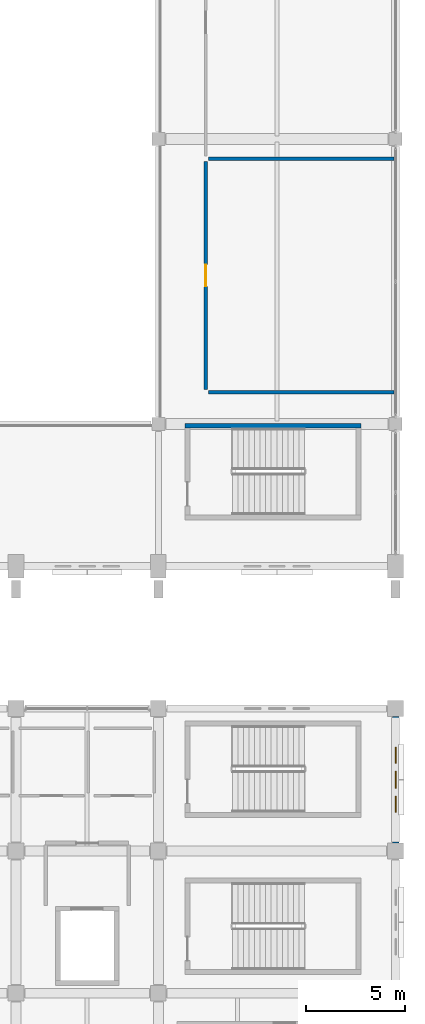
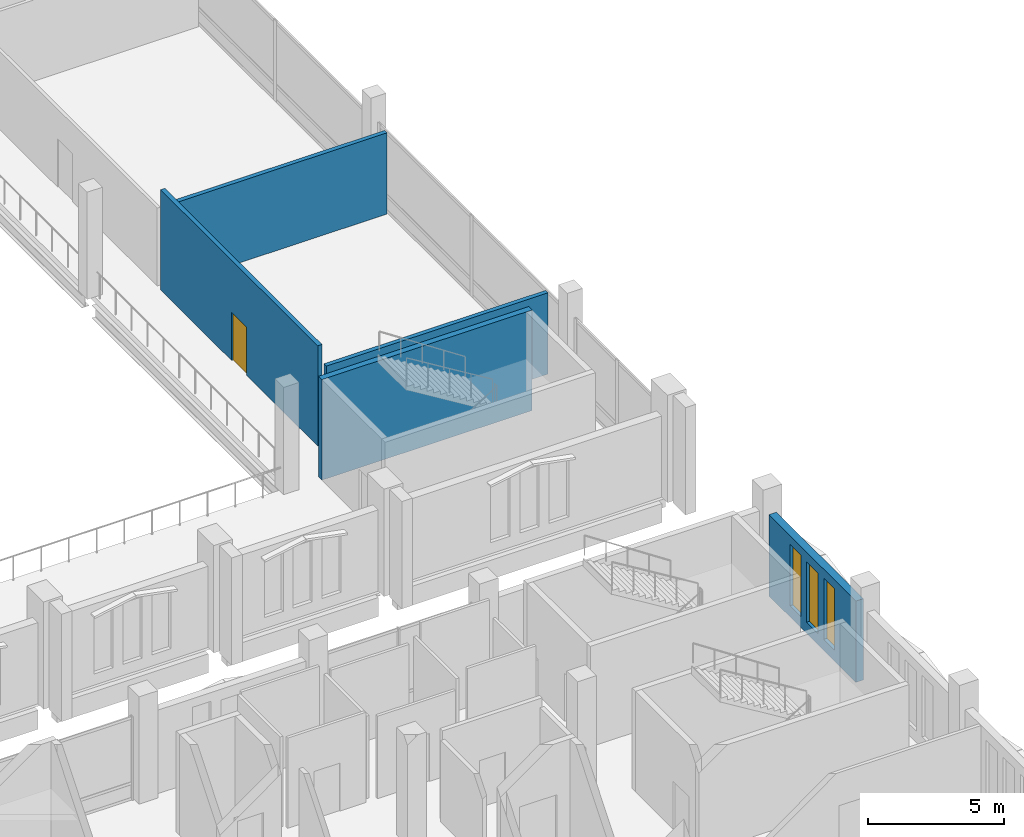
# One storey, part 164 of 220: 5 walls, 3 windows, 1 door, 4 openings.
"""IFC4 building model written with IfcOpenShell, lengths in metres."""

import ifcopenshell
import ifcopenshell.guid

model = None  # the IFC model being written
_history = None  # IfcOwnerHistory: only IFC2X3 demands one
_inside = {}  # id of a spatial element -> (the spatial element, [elements in it])
_under = {}  # id of a project, library or spatial element -> (it, [spatial elements below it])
_declared = {}  # id of a project -> (the project, [libraries it declares])
_typed = {}  # id of a type object -> (the type object, [elements of that type])
_made_of = {}  # id of a material, layer set ... -> (it, [elements and type objects made of it])


def new_model(schema):
    """Start an empty IFC model of exactly this schema.

    Asked for "IFC4X3", IfcOpenShell would pick the latest addendum, in which some entities
    have other attributes; the version numbers below select the first issue.
    IFC2X3 requires an IfcOwnerHistory on every rooted entity: one is made here for all.
    """
    global model, _history
    if schema == "IFC4X3":
        model = ifcopenshell.file(schema_version=(4, 3, 0, 0))
    else:
        model = ifcopenshell.file(schema=schema)
    _inside.clear()
    _under.clear()
    _declared.clear()
    _typed.clear()
    _made_of.clear()
    _history = None
    if model.schema == "IFC2X3":
        org = make("IfcOrganization", Name="unknown")
        user = make(
            "IfcPersonAndOrganization",
            ThePerson=make("IfcPerson", FamilyName="unknown"),
            TheOrganization=org,
        )
        app = make(
            "IfcApplication",
            ApplicationDeveloper=org,
            Version="unknown",
            ApplicationFullName="unknown",
            ApplicationIdentifier="unknown",
        )
        _history = make(
            "IfcOwnerHistory",
            OwningUser=user,
            OwningApplication=app,
            ChangeAction="ADDED",
            CreationDate=0,
        )
    return model


def make(cls, **values):
    """One entity of the class cls with the attributes given. An attribute that is None is left unset."""
    return model.create_entity(
        cls, **{name: value for name, value in values.items() if value is not None}
    )


def rooted(cls, **values):
    """An entity with a GlobalId (a new one), such as an element, a storey or a relation."""
    return make(cls, GlobalId=ifcopenshell.guid.new(), OwnerHistory=_history, **values)


def si_unit(unit_type, name, prefix=None):
    """IfcSIUnit, for example si_unit("LENGTHUNIT", "METRE", prefix="MILLI")."""
    return make("IfcSIUnit", UnitType=unit_type, Prefix=prefix, Name=name)


def assignment(units):
    """IfcUnitAssignment: the units of a project."""
    return None if units is None else make("IfcUnitAssignment", Units=units)


def point(xyz):
    """IfcCartesianPoint."""
    return None if xyz is None else make("IfcCartesianPoint", Coordinates=xyz)


def direction(xyz):
    """IfcDirection."""
    return None if xyz is None else make("IfcDirection", DirectionRatios=xyz)


def frame(location, z_axis=None, x_axis=None):
    """IfcAxis2Placement3D, a coordinate frame: its origin and axes. An axis left out is left unset."""
    return make(
        "IfcAxis2Placement3D",
        Location=point(location),
        Axis=direction(z_axis),
        RefDirection=direction(x_axis),
    )


def frame_2d(location, x_axis=None):
    """IfcAxis2Placement2D, a coordinate frame in the plane: its origin and x axis."""
    return make(
        "IfcAxis2Placement2D", Location=point(location), RefDirection=direction(x_axis)
    )


def origin():
    """The frame at (0, 0, 0) with its axes left unset."""
    return frame((0.0, 0.0, 0.0))


def place(relative_to, where):
    """IfcLocalPlacement: puts the frame where relative to a parent placement (None: the world)."""
    return make(
        "IfcLocalPlacement", PlacementRelTo=relative_to, RelativePlacement=where
    )


def context(
    kind, dimensions, precision=None, world=None, true_north=None, identifier=None
):
    """IfcGeometricRepresentationContext, for example the 3D "Model" context."""
    return make(
        "IfcGeometricRepresentationContext",
        ContextIdentifier=identifier,
        ContextType=kind,
        CoordinateSpaceDimension=dimensions,
        Precision=precision,
        WorldCoordinateSystem=world,
        TrueNorth=true_north,
    )


def subcontext(parent, identifier, kind, view, scale=None):
    """IfcGeometricRepresentationSubContext, for example "Body" below "Model"."""
    return make(
        "IfcGeometricRepresentationSubContext",
        ContextIdentifier=identifier,
        ContextType=kind,
        ParentContext=parent,
        TargetScale=scale,
        TargetView=view,
    )


def project(units=None, contexts=None):
    """IfcProject with its units and contexts."""
    return rooted(
        "IfcProject",
        Name="project",
        RepresentationContexts=contexts,
        UnitsInContext=assignment(units),
    )


def spatial(cls, under=None, at=None, **own):
    """A site, building, storey or space (cls), placed at a placement, below another one or the project."""
    s = rooted(cls, ObjectPlacement=at, **own)
    if under is not None:
        _under.setdefault(under.id(), (under, []))[1].append(s)
    return s


def profile(cls, at=None, kind="AREA", **sizes):
    """A parametric profile (cls). Its sizes go by their IFC names, for example OverallWidth=200.0."""
    return make(cls, ProfileType=kind, Position=at, **sizes)


def rectangle(**sizes):
    """IfcRectangleProfileDef."""
    return profile("IfcRectangleProfileDef", **sizes)


def extrude(swept, where, along, depth):
    """IfcExtrudedAreaSolid: the profile swept, set in the frame where, extruded along a direction by depth."""
    return make(
        "IfcExtrudedAreaSolid",
        SweptArea=swept,
        Position=where,
        ExtrudedDirection=direction(along),
        Depth=depth,
    )


def shape(context_of_items, identifier, shape_type, items):
    """IfcShapeRepresentation: the items that make up one representation, for example the "Body"."""
    return make(
        "IfcShapeRepresentation",
        ContextOfItems=context_of_items,
        RepresentationIdentifier=identifier,
        RepresentationType=shape_type,
        Items=items,
    )


def material(Name=None, Category=None):
    """IfcMaterial."""
    return make("IfcMaterial", Name=Name, Category=Category)


def layer(
    of_material, thickness, ventilated=None, Name=None, Category=None, Priority=None
):
    """IfcMaterialLayer: one layer of a wall or slab, of a material (None: an air gap)."""
    return make(
        "IfcMaterialLayer",
        Material=of_material,
        LayerThickness=thickness,
        IsVentilated=ventilated,
        Name=Name,
        Category=Category,
        Priority=Priority,
    )


def layer_set(layers, Name=None):
    """IfcMaterialLayerSet."""
    return make("IfcMaterialLayerSet", MaterialLayers=layers, LayerSetName=Name)


def made_of(thing, what):
    """Note that an element or type object is made of a material, layer set ...; save() writes the relation."""
    if what is not None:
        _made_of.setdefault(what.id(), (what, []))[1].append(thing)
    return thing


def type_object(cls, material=None, **own):
    """A type object (cls), such as IfcWallType, which elements share."""
    return made_of(rooted(cls, **own), material)


def element(
    cls,
    number,
    at=None,
    inside=None,
    cuts=None,
    type_object=None,
    material=None,
    context=None,
    identifier="Body",
    shape_type=None,
    held_by="IfcProductDefinitionShape",
    body=None,
    shapes=None,
    **own,
):
    """One element of the class cls, such as IfcWall. Its Tag is "e" and its number.

    at: its placement. inside: the storey or other place that contains it. cuts: it is an
    opening in that element (IfcRelVoidsElement). A single representation is given by context,
    identifier, shape_type and body (its items); several are given by shapes. held_by: the class
    of the entity that holds the representations. save() writes the other relations.
    """
    e = rooted(cls, Tag="e%d" % number, ObjectPlacement=at, **own)
    if body is not None:
        shapes = [shape(context, identifier, shape_type, body)]
    if shapes is not None:
        e.Representation = make(held_by, Representations=shapes)
    if inside is not None:
        _inside.setdefault(inside.id(), (inside, []))[1].append(e)
    if cuts is not None:
        rooted(
            "IfcRelVoidsElement", RelatingBuildingElement=cuts, RelatedOpeningElement=e
        )
    if type_object is not None:
        _typed.setdefault(type_object.id(), (type_object, []))[1].append(e)
    return made_of(e, material)


def fill(opening, filler):
    """IfcRelFillsElement: the door or window that sits in an opening."""
    return rooted(
        "IfcRelFillsElement",
        RelatingOpeningElement=opening,
        RelatedBuildingElement=filler,
    )


def aggregate(whole, parts):
    """IfcRelAggregates: a whole, such as a stair, and the parts it consists of."""
    return rooted("IfcRelAggregates", RelatingObject=whole, RelatedObjects=parts)


def save(model, path):
    """Write the relations noted so far, then the file.

    IfcRelAggregates (storeys below a building ...), IfcRelContainedInSpatialStructure (elements
    in a storey), IfcRelDefinesByType, IfcRelAssociatesMaterial and IfcRelDeclares: one each for
    every whole, place, type object, material and project.
    """
    for whole, parts in _under.values():
        aggregate(whole, parts)
    for where, things in _inside.values():
        rooted(
            "IfcRelContainedInSpatialStructure",
            RelatedElements=things,
            RelatingStructure=where,
        )
    for kind, things in _typed.values():
        rooted("IfcRelDefinesByType", RelatedObjects=things, RelatingType=kind)
    for what, things in _made_of.values():
        rooted("IfcRelAssociatesMaterial", RelatedObjects=things, RelatingMaterial=what)
    for by, libraries in _declared.values():
        rooted("IfcRelDeclares", RelatingContext=by, RelatedDefinitions=libraries)
    model.write(path)


model = new_model("IFC4")

# Units and contexts
model_context = context("Model", 3, precision=1e-05, world=origin(), true_north=direction((0.0, 1.0)))
body_context = subcontext(model_context, "Body", "Model", "MODEL_VIEW")
ifc_project = project(units=[si_unit("LENGTHUNIT", "METRE"), si_unit("AREAUNIT", "SQUARE_METRE"), si_unit("VOLUMEUNIT", "CUBIC_METRE"), si_unit("PLANEANGLEUNIT", "RADIAN"), si_unit("MASSUNIT", "GRAM", prefix="KILO")], contexts=[model_context])

# Site, building, storey
site_placement = place(None, origin())
site = spatial("IfcSite", under=ifc_project, at=site_placement, CompositionType="ELEMENT")
building_placement = place(site_placement, origin())
building = spatial("IfcBuilding", under=site, at=building_placement, Name="Cendralis Lancet Convention Centre", CompositionType="ELEMENT")
storey_placement = place(building_placement, frame((0.0, 0.0, 5.39990234375)))
storey = spatial("IfcBuildingStorey", under=building, at=storey_placement, Name="L01", CompositionType="ELEMENT", Elevation=5.39990234375)

# Wall, openings, windows
ifc_material_1 = material(Name="Buff sandstone ashlar and Concrete G40 (C40/50)", Category="masonry")
ifc_layer_1 = layer(ifc_material_1, 0.320068359375, Name="Buff sandstone ashlar and Concrete G40 (C40/50)")
ifc_layer_set_1 = layer_set([ifc_layer_1], Name="Buff sandstone ashlar and Concrete G40 (C40/50)")
wall_type_1 = type_object("IfcWallType", Name="ARC-EW-W320", PredefinedType="STANDARD", material=ifc_layer_set_1)
wall_1_placement = place(storey_placement, frame((208.800048828125, 35.592041015625, 0.0), z_axis=(0.0, 0.0, 1.0), x_axis=(0.0, -1.0, 0.0)))
wall_1 = element("IfcWall", 1, at=wall_1_placement, inside=storey, type_object=wall_type_1, Name="L01 V5 Exterior Wall EW-06 #0276", PredefinedType="STANDARD", context=body_context, shape_type="SweptSolid", body=[
    extrude(rectangle(XDim=6.384033203125, YDim=0.320068359375, at=frame_2d((3.19189453125, 0.0))), origin(), (0.0, 0.0, 1.0), 3.635009765625),
])
opening_1_placement = place(wall_1_placement, frame((1.552001953125, 0.0, 0.5)))
opening_1 = element("IfcOpeningElement", 2, at=opening_1_placement, cuts=wall_1, Name="Opening WN-07", PredefinedType="OPENING", context=body_context, shape_type="SweptSolid", body=[
    extrude(rectangle(XDim=0.800048828125, YDim=2.75, at=frame_2d((0.39990234375, 1.375))), frame((0.0, 0.169921875, 0.0), z_axis=(0.0, -1.0, 0.0), x_axis=(1.0, 0.0, 0.0)), (0.0, 0.0, 1.0), 0.340087890625),
])
opening_2_placement = place(wall_1_placement, frame((2.77197265625, 0.0, 0.5)))
opening_2 = element("IfcOpeningElement", 3, at=opening_2_placement, cuts=wall_1, Name="Opening WN-15", PredefinedType="OPENING", context=body_context, shape_type="SweptSolid", body=[
    extrude(rectangle(XDim=0.840087890625, YDim=2.699951171875, at=frame_2d((0.419921875, 1.35009765625))), frame((0.0, 0.169921875, 0.0), z_axis=(0.0, -1.0, 0.0), x_axis=(1.0, 0.0, 0.0)), (0.0, 0.0, 1.0), 0.340087890625),
])
opening_3_placement = place(wall_1_placement, frame((4.031982421875, 0.0, 0.5)))
opening_3 = element("IfcOpeningElement", 4, at=opening_3_placement, cuts=wall_1, Name="Opening WN-07", PredefinedType="OPENING", context=body_context, shape_type="SweptSolid", body=[
    extrude(rectangle(XDim=0.800048828125, YDim=2.75, at=frame_2d((0.39990234375, 1.375))), frame((0.0, 0.169921875, 0.0), z_axis=(0.0, -1.0, 0.0), x_axis=(1.0, 0.0, 0.0)), (0.0, 0.0, 1.0), 0.340087890625),
])
ifc_material_2 = material(Name="Double-glazed low-E solar-control glass", Category="glass")
window_type_1 = type_object("IfcWindowType", Name="ARC-WN-LW07", PartitioningType="SINGLE_PANEL", PredefinedType="WINDOW", material=ifc_material_2)
window_1_placement = place(opening_1_placement, origin())
window_1 = element("IfcWindow", 5, at=window_1_placement, inside=storey, type_object=window_type_1, Name="Gothic Lancet Window WN-07 #0532", OverallHeight=2.75, OverallWidth=0.800048828125, PartitioningType="SINGLE_PANEL", PredefinedType="WINDOW", context=body_context, shape_type="SweptSolid", body=[
    extrude(rectangle(XDim=0.800048828125, YDim=2.75, at=frame_2d((0.39990234375, 1.375))), frame((0.0, 0.030029296875, 0.0), z_axis=(0.0, -1.0, 0.0), x_axis=(1.0, 0.0, 0.0)), (0.0, 0.0, 1.0), 0.06005859375),
])
fill(opening_1, window_1)
window_2_placement = place(opening_3_placement, origin())
window_2 = element("IfcWindow", 6, at=window_2_placement, inside=storey, type_object=window_type_1, Name="Gothic Lancet Window WN-07 #0534", OverallHeight=2.75, OverallWidth=0.800048828125, PartitioningType="SINGLE_PANEL", PredefinedType="WINDOW", context=body_context, shape_type="SweptSolid", body=[
    extrude(rectangle(XDim=0.800048828125, YDim=2.75, at=frame_2d((0.39990234375, 1.375))), frame((0.0, 0.030029296875, 0.0), z_axis=(0.0, -1.0, 0.0), x_axis=(1.0, 0.0, 0.0)), (0.0, 0.0, 1.0), 0.06005859375),
])
fill(opening_3, window_2)
window_type_2 = type_object("IfcWindowType", Name="ARC-WN-LW15", PartitioningType="SINGLE_PANEL", PredefinedType="WINDOW", material=ifc_material_2)
window_3_placement = place(opening_2_placement, origin())
window_3 = element("IfcWindow", 7, at=window_3_placement, inside=storey, type_object=window_type_2, Name="Gothic Lancet Window WN-15 #0533", OverallHeight=2.699951171875, OverallWidth=0.840087890625, PartitioningType="SINGLE_PANEL", PredefinedType="WINDOW", context=body_context, shape_type="SweptSolid", body=[
    extrude(rectangle(XDim=0.840087890625, YDim=2.699951171875, at=frame_2d((0.419921875, 1.35009765625))), frame((0.0, 0.030029296875, 0.0), z_axis=(0.0, -1.0, 0.0), x_axis=(1.0, 0.0, 0.0)), (0.0, 0.0, 1.0), 0.06005859375),
])
fill(opening_2, window_3)

# Walls
ifc_material_3 = material(Name="Acoustic fire-rated gypsum board on steel studs", Category="steel")
ifc_layer_2 = layer(ifc_material_3, 0.179931640625, Name="Acoustic fire-rated gypsum board on steel studs")
ifc_layer_set_2 = layer_set([ifc_layer_2], Name="Acoustic fire-rated gypsum board on steel studs")
wall_type_2 = type_object("IfcWallType", Name="ARC-IW-P180", PredefinedType="PARTITIONING", material=ifc_layer_set_2)
for number, where, z_axis, x_axis, name in (
    (8, (199.340087890625, 52.0, 0.0), (0.0, 0.0, 1.0), (1.0, 0.0, 0.0), "L01 Interior Partition IW-02 #0085"),
    (9, (199.340087890625, 63.800048828125, 0.0), (0.0, 0.0, 1.0), (1.0, 0.0, 0.0), "L01 Interior Partition IW-02 #0086"),
):
    element("IfcWall", number, at=place(storey_placement, frame(where, z_axis=z_axis, x_axis=x_axis)), inside=storey, type_object=wall_type_2, Name=name, PredefinedType="PARTITIONING", context=body_context, shape_type="SweptSolid", body=[
        extrude(rectangle(XDim=9.3798828125, YDim=0.179931640625, at=frame_2d((4.68994140625, 0.0))), origin(), (0.0, 0.0, 1.0), 3.635009765625),
    ])

# Wall, opening, door
wall_2_placement = place(storey_placement, frame((199.199951171875, 52.139892578125, 0.0), z_axis=(0.0, 0.0, 1.0), x_axis=(0.0, 1.0, 0.0)))
wall_2 = element("IfcWall", 10, at=wall_2_placement, inside=storey, type_object=wall_type_2, Name="L01 Interior Partition IW-02 #0087", PredefinedType="PARTITIONING", context=body_context, shape_type="SweptSolid", body=[
    extrude(rectangle(XDim=11.52001953125, YDim=0.179931640625, at=frame_2d((5.760009765625, 0.0))), origin(), (0.0, 0.0, 1.0), 4.485107421875),
])
opening_4_placement = place(wall_2_placement, frame((5.2099609375, 0.0, 0.0)))
opening_4 = element("IfcOpeningElement", 11, at=opening_4_placement, cuts=wall_2, Name="Opening FD-11", PredefinedType="OPENING", context=body_context, shape_type="SweptSolid", body=[
    extrude(rectangle(XDim=1.10009765625, YDim=2.14990234375, at=frame_2d((0.550048828125, 1.074951171875))), frame((0.0, 0.099853515625, 0.0), z_axis=(0.0, -1.0, 0.0), x_axis=(1.0, 0.0, 0.0)), (0.0, 0.0, 1.0), 0.199951171875),
])
ifc_material_4 = material(Name="Steel S355", Category="steel")
door_type = type_object("IfcDoorType", Name="ARC-DR-FF11", OperationType="NOTDEFINED", PredefinedType="DOOR", material=ifc_material_4)
door_placement = place(opening_4_placement, origin())
door = element("IfcDoor", 12, at=door_placement, inside=storey, type_object=door_type, Name="L01-D013 L01 Interior Door FD-11 #0028", OperationType="SINGLE_SWING_RIGHT", OverallHeight=2.14990234375, OverallWidth=1.10009765625, PredefinedType="DOOR", context=body_context, shape_type="SweptSolid", body=[
    extrude(rectangle(XDim=1.10009765625, YDim=2.14990234375, at=frame_2d((0.550048828125, 1.074951171875))), frame((0.0, 0.02490234375, 0.0), z_axis=(0.0, -1.0, 0.0), x_axis=(1.0, 0.0, 0.0)), (0.0, 0.0, 1.0), 0.050048828125),
])
fill(opening_4, door)

# Wall
ifc_material_5 = material(Name="Concrete G40 (C40/50)", Category="concrete")
ifc_layer_3 = layer(ifc_material_5, 0.25, Name="Concrete G40 (C40/50)")
ifc_layer_set_3 = layer_set([ifc_layer_3], Name="Concrete G40 (C40/50)")
wall_type_3 = type_object("IfcWallType", Name="STR-SW-CW250", PredefinedType="SHEAR", material=ifc_layer_set_3)
wall_3_placement = place(storey_placement, frame((198.14990234375, 50.304931640625, 0.0), z_axis=(0.0, 0.0, 1.0), x_axis=(1.0, 0.0, 0.0)))
element("IfcWall", 13, at=wall_3_placement, inside=storey, type_object=wall_type_3, Name="L01 Stair Core ST-09 North Shear Wall", PredefinedType="SHEAR", context=body_context, shape_type="SweptSolid", body=[
    extrude(rectangle(XDim=8.900146484375, YDim=0.25, at=frame_2d((4.4501953125, 0.0))), origin(), (0.0, 0.0, 1.0), 4.5),
])

save(model, "model.ifc")
